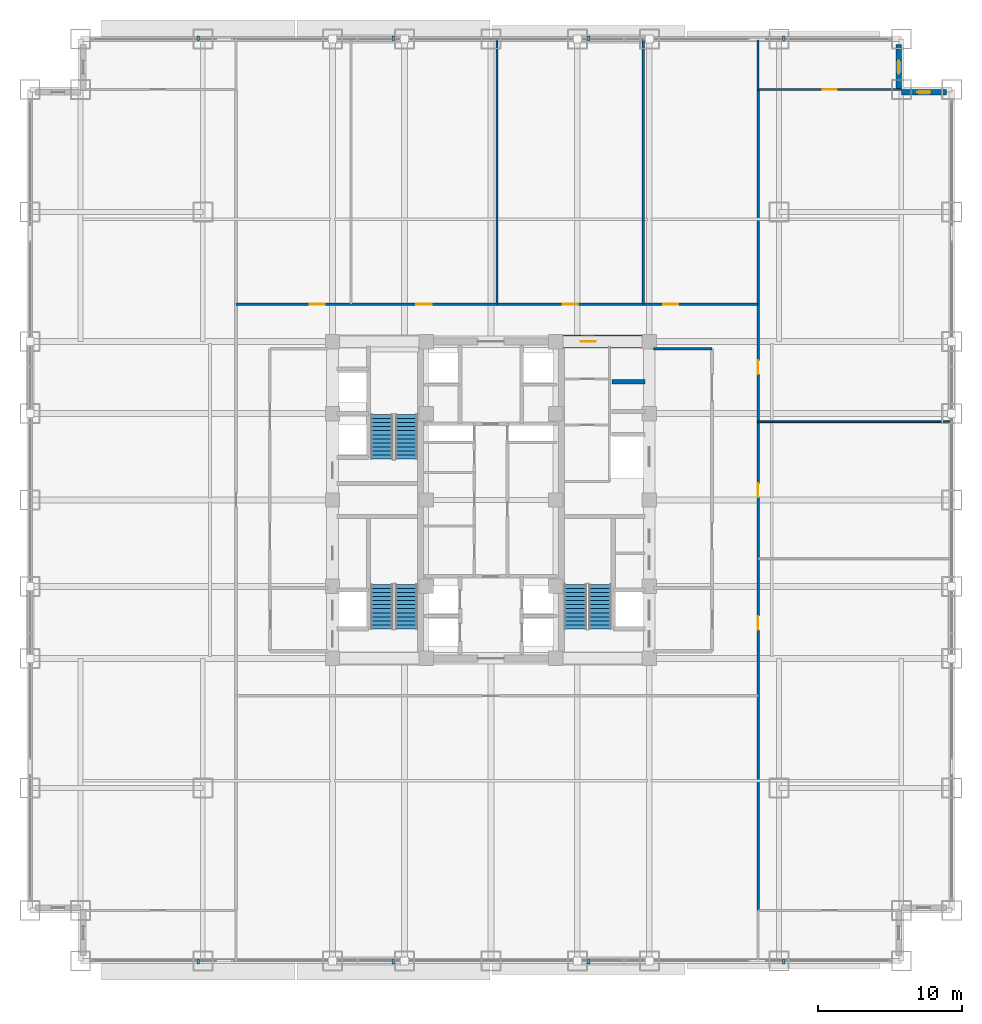
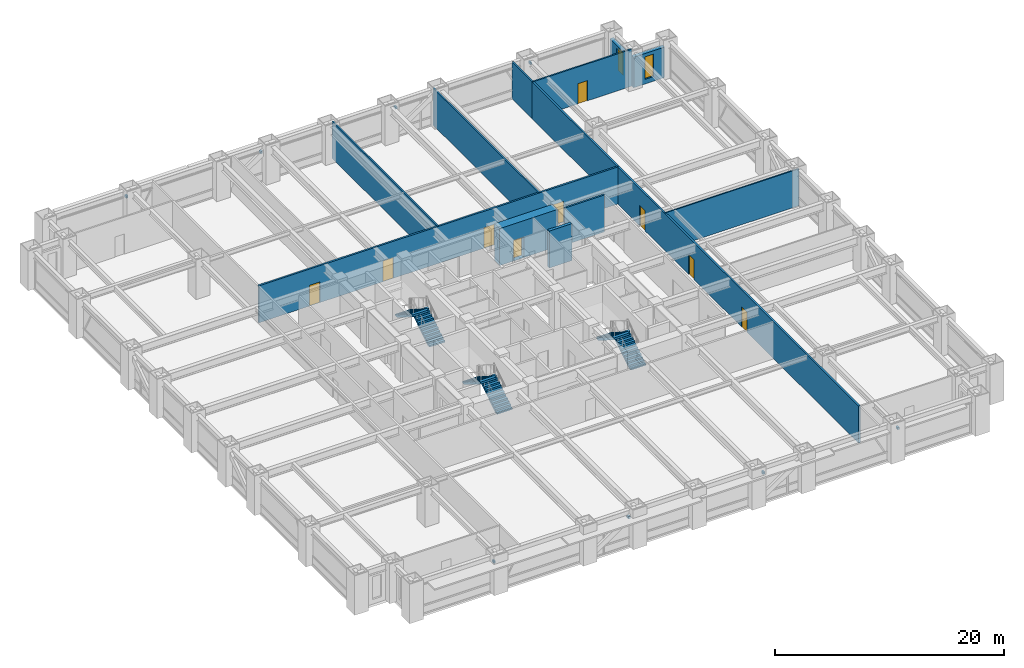
# One storey, part 26 of 31: 12 walls, 9 doors, 8 discrete accessories, 6 stair flights, 2 windows, 11 openings, 3 elements without a shape of their own.
"""IFC4 building model written with IfcOpenShell, lengths in metres."""

from ifc_helpers import new_model, si_unit, direction, frame, frame_2d, origin, origin_2d, place, context, subcontext, project, spatial, polyline, rectangle, outline, extrude, source, transform, mapped, material, layer, layer_set, type_object, element, fill, aggregate, save


model = new_model("IFC4")

# Units and contexts
model_context = context("Model", 3, precision=1e-05, world=origin(), true_north=direction((0.0, 1.0)))
body_context = subcontext(model_context, "Body", "Model", "MODEL_VIEW")
ifc_project = project(units=[si_unit("LENGTHUNIT", "METRE"), si_unit("AREAUNIT", "SQUARE_METRE"), si_unit("VOLUMEUNIT", "CUBIC_METRE"), si_unit("PLANEANGLEUNIT", "RADIAN"), si_unit("MASSUNIT", "GRAM", prefix="KILO")], contexts=[model_context])

# Site, building, storey
site_placement = place(None, origin())
site = spatial("IfcSite", under=ifc_project, at=site_placement, CompositionType="ELEMENT")
building_placement = place(site_placement, origin())
building = spatial("IfcBuilding", under=site, at=building_placement, Name="Khorayat Bourse Tower", CompositionType="ELEMENT")
storey_placement = place(building_placement, frame((0.0, 0.0, 36.800048828125)))
storey = spatial("IfcBuildingStorey", under=building, at=storey_placement, Name="L07", CompositionType="ELEMENT", Elevation=36.800048828125)

# Wall, opening, door
ifc_material_1 = material(Name="Concrete C72/90", Category="concrete")
ifc_layer_1 = layer(ifc_material_1, 0.89990234375)
ifc_layer_set_1 = layer_set([ifc_layer_1], Name="Concrete C72/90")
wall_type_1 = type_object("IfcWallType", Name="WAL-CORE-900", PredefinedType="SHEAR", material=ifc_layer_set_1)
shared_shape_1 = source(origin(), body_context, "Body", "SweptSolid", [
    extrude(rectangle(XDim=5.849853515625, YDim=0.89990234375, at=frame_2d((2.9248046875, 0.0))), origin(), (0.0, 0.0, 1.0), 3.93994140625),
])
wall_1_placement = place(storey_placement, frame((4.85009765625, 11.0, 0.0), z_axis=(0.0, 0.0, 1.0), x_axis=(1.0, 0.0, 0.0)))
wall_1 = element("IfcWall", 1, at=wall_1_placement, inside=storey, type_object=wall_type_1, Name="L07 Core Shear Wall PIER-EN", PredefinedType="SHEAR", context=body_context, shape_type="MappedRepresentation", body=[
    mapped(shared_shape_1, transform((0.0, 0.0, 0.0), scale=1.0)),
])
shared_shape_2 = source(origin(), body_context, "Body", "SweptSolid", [
    extrude(rectangle(XDim=1.050048828125, YDim=2.199951171875, at=frame_2d((0.52490234375, 1.10009765625))), frame((0.0, 0.4599609375, 0.0), z_axis=(0.0, -1.0, 0.0), x_axis=(1.0, 0.0, 0.0)), (0.0, 0.0, 1.0), 0.919921875),
])
opening_1_placement = place(wall_1_placement, frame((1.375, 0.0, 0.0)))
opening_1 = element("IfcOpeningElement", 2, at=opening_1_placement, cuts=wall_1, Name="Opening DI-04", PredefinedType="OPENING", context=body_context, shape_type="MappedRepresentation", body=[
    mapped(shared_shape_2, transform((0.0, 0.0, 0.0), scale=1.0)),
])
ifc_material_2 = material(Name="Fire-rated oak veneer suite entrance door")
door_type_1 = type_object("IfcDoorType", Name="DR-INT-SUITE-1050", OperationType="NOTDEFINED", PredefinedType="DOOR", material=ifc_material_2)
shared_shape_3 = source(origin(), body_context, "Body", "SweptSolid", [
    extrude(rectangle(XDim=1.050048828125, YDim=2.199951171875, at=frame_2d((0.52490234375, 1.10009765625))), frame((0.0, 0.02490234375, 0.0), z_axis=(0.0, -1.0, 0.0), x_axis=(1.0, 0.0, 0.0)), (0.0, 0.0, 1.0), 0.050048828125),
])
door_1_placement = place(opening_1_placement, origin())
door_1 = element("IfcDoor", 3, at=door_1_placement, inside=storey, type_object=door_type_1, Name="L07 Core Washroom Lobby Door", OperationType="SINGLE_SWING_LEFT", OverallHeight=2.199951171875, OverallWidth=1.050048828125, PredefinedType="DOOR", context=body_context, shape_type="MappedRepresentation", body=[
    mapped(shared_shape_3, transform((0.0, 0.0, 0.0), scale=1.0)),
])
fill(opening_1, door_1)

# Wall, opening, window
ifc_material_3 = material(Name="Precast concrete C45/55", Category="concrete")
ifc_layer_2 = layer(ifc_material_3, 0.3798828125)
ifc_layer_set_2 = layer_set([ifc_layer_2], Name="Precast concrete C45/55")
wall_type_2 = type_object("IfcWallType", Name="WAL-EXT-STONE-380", PredefinedType="STANDARD", material=ifc_layer_set_2)
shared_shape_4 = source(origin(), body_context, "Body", "SweptSolid", [
    extrude(rectangle(XDim=3.1201171875, YDim=0.3798828125, at=frame_2d((1.56005859375, 0.0))), origin(), (0.0, 0.0, 1.0), 3.244873046875),
])
wall_2_placement = place(storey_placement, frame((28.5, 28.31005859375, 0.0), z_axis=(0.0, 0.0, 1.0), x_axis=(1.0, 0.0, 0.0)))
wall_2 = element("IfcWall", 4, at=wall_2_placement, inside=storey, type_object=wall_type_2, Name="L07 Re-Entrant Notch Limestone Wall NE-H", PredefinedType="STANDARD", context=body_context, shape_type="MappedRepresentation", body=[
    mapped(shared_shape_4, transform((0.0, 0.0, 0.0), scale=1.0)),
])
shared_shape_5 = source(origin(), body_context, "Body", "SweptSolid", [
    extrude(rectangle(XDim=0.89990234375, YDim=2.39990234375, at=frame_2d((0.449951171875, 1.199951171875))), frame((0.0, 0.199951171875, 0.0), z_axis=(0.0, -1.0, 0.0), x_axis=(1.0, 0.0, 0.0)), (0.0, 0.0, 1.0), 0.39990234375),
])
opening_2_placement = place(wall_2_placement, frame((1.110107421875, 0.0, 0.5)))
opening_2 = element("IfcOpeningElement", 5, at=opening_2_placement, cuts=wall_2, Name="Opening WN-03", PredefinedType="OPENING", context=body_context, shape_type="MappedRepresentation", body=[
    mapped(shared_shape_5, transform((0.0, 0.0, 0.0), scale=1.0)),
])
ifc_material_4 = material(Name="Deep-reveal solar-control double glazing", Category="glass")
window_type = type_object("IfcWindowType", Name="WIN-SLOT-900x2400", PartitioningType="SINGLE_PANEL", PredefinedType="WINDOW", material=ifc_material_4)
shared_shape_6 = source(origin(), body_context, "Body", "SweptSolid", [
    extrude(rectangle(XDim=0.89990234375, YDim=2.39990234375, at=frame_2d((0.449951171875, 1.199951171875))), frame((0.0, 0.030029296875, 0.0), z_axis=(0.0, -1.0, 0.0), x_axis=(1.0, 0.0, 0.0)), (0.0, 0.0, 1.0), 0.06005859375),
])
window_1_placement = place(opening_2_placement, origin())
window_1 = element("IfcWindow", 6, at=window_1_placement, inside=storey, type_object=window_type, Name="L07 Facade Window 1", OverallHeight=2.39990234375, OverallWidth=0.89990234375, PartitioningType="SINGLE_PANEL", PredefinedType="WINDOW", context=body_context, shape_type="MappedRepresentation", body=[
    mapped(shared_shape_6, transform((0.0, 0.0, 0.0), scale=1.0)),
])
fill(opening_2, window_1)

wall_3_placement = place(storey_placement, frame((28.31005859375, 28.5, 0.0), z_axis=(0.0, 0.0, 1.0), x_axis=(0.0, 1.0, 0.0)))
wall_3 = element("IfcWall", 7, at=wall_3_placement, inside=storey, type_object=wall_type_2, Name="L07 Re-Entrant Notch Limestone Wall NE-V", PredefinedType="STANDARD", context=body_context, shape_type="MappedRepresentation", body=[
    mapped(shared_shape_4, transform((0.0, 0.0, 0.0), scale=1.0)),
])
opening_3_placement = place(wall_3_placement, frame((1.110107421875, 0.0, 0.5)))
opening_3 = element("IfcOpeningElement", 8, at=opening_3_placement, cuts=wall_3, Name="Opening WN-03", PredefinedType="OPENING", context=body_context, shape_type="MappedRepresentation", body=[
    mapped(shared_shape_5, transform((0.0, 0.0, 0.0), scale=1.0)),
])
window_2_placement = place(opening_3_placement, origin())
window_2 = element("IfcWindow", 9, at=window_2_placement, inside=storey, type_object=window_type, Name="L07 Facade Window 1", OverallHeight=2.39990234375, OverallWidth=0.89990234375, PartitioningType="SINGLE_PANEL", PredefinedType="WINDOW", context=body_context, shape_type="MappedRepresentation", body=[
    mapped(shared_shape_6, transform((0.0, 0.0, 0.0), scale=1.0)),
])
fill(opening_3, window_2)

# Walls
ifc_material_5 = material(Name="Concrete C50/60", Category="concrete")
ifc_layer_3 = layer(ifc_material_5, 0.300048828125)
ifc_layer_set_3 = layer_set([ifc_layer_3], Name="Concrete C50/60")
wall_type_3 = type_object("IfcWallType", Name="WAL-SHAFT-300", PredefinedType="SHEAR", material=ifc_layer_set_3)
shared_shape_7 = source(origin(), body_context, "Body", "SweptSolid", [
    extrude(rectangle(XDim=2.300048828125, YDim=0.300048828125, at=frame_2d((1.14990234375, 0.0))), origin(), (0.0, 0.0, 1.0), 3.93994140625),
])
wall_4_placement = place(storey_placement, frame((8.39990234375, 8.199951171875, 0.0), z_axis=(0.0, 0.0, 1.0), x_axis=(1.0, 0.0, 0.0)))
element("IfcWall", 10, at=wall_4_placement, inside=storey, type_object=wall_type_3, Name="L07 Partition WAL-L07-EPIER-H34", PredefinedType="SHEAR", context=body_context, shape_type="MappedRepresentation", body=[
    mapped(shared_shape_7, transform((0.0, 0.0, 0.0), scale=1.0)),
])
ifc_material_6 = material(Name="Gypsum plasterboard acoustic stud wall")
ifc_layer_4 = layer(ifc_material_6, 0.179931640625)
ifc_layer_set_4 = layer_set([ifc_layer_4], Name="Gypsum plasterboard acoustic stud wall")
wall_type_4 = type_object("IfcWallType", Name="WAL-PART-CORR-180", PredefinedType="PARTITIONING", material=ifc_layer_set_4)
shared_shape_8 = source(origin(), body_context, "Body", "SweptSolid", [
    extrude(rectangle(XDim=4.050048828125, YDim=0.179931640625, at=frame_2d((2.02490234375, 0.0))), origin(), (0.0, 0.0, 1.0), 3.93994140625),
])
wall_5_placement = place(storey_placement, frame((11.300048828125, 10.5, 0.0), z_axis=(0.0, 0.0, 1.0), x_axis=(1.0, 0.0, 0.0)))
element("IfcWall", 11, at=wall_5_placement, inside=storey, type_object=wall_type_4, Name="L07 Partition WAL-L07-ELOB-N", PredefinedType="PARTITIONING", context=body_context, shape_type="MappedRepresentation", body=[
    mapped(shared_shape_8, transform((0.0, 0.0, 0.0), scale=1.0)),
])

# Wall, openings, doors
shared_shape_9 = source(origin(), body_context, "Body", "SweptSolid", [
    extrude(rectangle(XDim=36.25, YDim=0.179931640625, at=frame_2d((18.125, 0.0))), origin(), (0.0, 0.0, 1.0), 3.93994140625),
])
wall_6_placement = place(storey_placement, frame((-17.699951171875, 13.60009765625, 0.0), z_axis=(0.0, 0.0, 1.0), x_axis=(1.0, 0.0, 0.0)))
wall_6 = element("IfcWall", 12, at=wall_6_placement, inside=storey, type_object=wall_type_4, Name="L07 Partition WAL-L07-NCORR", PredefinedType="PARTITIONING", context=body_context, shape_type="MappedRepresentation", body=[
    mapped(shared_shape_9, transform((0.0, 0.0, 0.0), scale=1.0)),
])
shared_shape_10 = source(origin(), body_context, "Body", "SweptSolid", [
    extrude(rectangle(XDim=1.050048828125, YDim=2.199951171875, at=frame_2d((0.52490234375, 1.10009765625))), frame((0.0, 0.099853515625, 0.0), z_axis=(0.0, -1.0, 0.0), x_axis=(1.0, 0.0, 0.0)), (0.0, 0.0, 1.0), 0.199951171875),
])
opening_4_placement = place(wall_6_placement, frame((5.112548828125, 0.0, 0.0)))
opening_4 = element("IfcOpeningElement", 13, at=opening_4_placement, cuts=wall_6, Name="Opening DI-04", PredefinedType="OPENING", context=body_context, shape_type="MappedRepresentation", body=[
    mapped(shared_shape_10, transform((0.0, 0.0, 0.0), scale=1.0)),
])
opening_5_placement = place(wall_6_placement, frame((12.52490234375, 0.0, 0.0)))
opening_5 = element("IfcOpeningElement", 14, at=opening_5_placement, cuts=wall_6, Name="Opening DI-04", PredefinedType="OPENING", context=body_context, shape_type="MappedRepresentation", body=[
    mapped(shared_shape_10, transform((0.0, 0.0, 0.0), scale=1.0)),
])
opening_6_placement = place(wall_6_placement, frame((22.675048828125, 0.0, 0.0)))
opening_6 = element("IfcOpeningElement", 15, at=opening_6_placement, cuts=wall_6, Name="Opening DI-04", PredefinedType="OPENING", context=body_context, shape_type="MappedRepresentation", body=[
    mapped(shared_shape_10, transform((0.0, 0.0, 0.0), scale=1.0)),
])
opening_7_placement = place(wall_6_placement, frame((29.66259765625, 0.0, 0.0)))
opening_7 = element("IfcOpeningElement", 16, at=opening_7_placement, cuts=wall_6, Name="Opening DI-04", PredefinedType="OPENING", context=body_context, shape_type="MappedRepresentation", body=[
    mapped(shared_shape_10, transform((0.0, 0.0, 0.0), scale=1.0)),
])
door_2_placement = place(opening_4_placement, origin())
door_2 = element("IfcDoor", 17, at=door_2_placement, inside=storey, type_object=door_type_1, Name="L07 Equities Trading Desk N1 Door", OperationType="SINGLE_SWING_RIGHT", OverallHeight=2.199951171875, OverallWidth=1.050048828125, PredefinedType="DOOR", context=body_context, shape_type="MappedRepresentation", body=[
    mapped(shared_shape_3, transform((0.0, 0.0, 0.0), scale=1.0)),
])
fill(opening_4, door_2)
door_3_placement = place(opening_5_placement, origin())
door_3 = element("IfcDoor", 18, at=door_3_placement, inside=storey, type_object=door_type_1, Name="L07 Equities Trading Desk N2 Door", OperationType="SINGLE_SWING_LEFT", OverallHeight=2.199951171875, OverallWidth=1.050048828125, PredefinedType="DOOR", context=body_context, shape_type="MappedRepresentation", body=[
    mapped(shared_shape_3, transform((0.0, 0.0, 0.0), scale=1.0)),
])
fill(opening_5, door_3)
door_4_placement = place(opening_6_placement, origin())
door_4 = element("IfcDoor", 19, at=door_4_placement, inside=storey, type_object=door_type_1, Name="L07 Equities Trading Desk N3 Door", OperationType="SINGLE_SWING_RIGHT", OverallHeight=2.199951171875, OverallWidth=1.050048828125, PredefinedType="DOOR", context=body_context, shape_type="MappedRepresentation", body=[
    mapped(shared_shape_3, transform((0.0, 0.0, 0.0), scale=1.0)),
])
fill(opening_6, door_4)
door_5_placement = place(opening_7_placement, origin())
door_5 = element("IfcDoor", 20, at=door_5_placement, inside=storey, type_object=door_type_1, Name="L07 Staff Tea Pantry N4 Door", OperationType="SINGLE_SWING_LEFT", OverallHeight=2.199951171875, OverallWidth=1.050048828125, PredefinedType="DOOR", context=body_context, shape_type="MappedRepresentation", body=[
    mapped(shared_shape_3, transform((0.0, 0.0, 0.0), scale=1.0)),
])
fill(opening_7, door_5)

# Walls
ifc_material_7 = material(Name="Gypsum plasterboard twin-frame partition")
ifc_layer_5 = layer(ifc_material_7, 0.14990234375)
ifc_layer_set_5 = layer_set([ifc_layer_5], Name="Gypsum plasterboard twin-frame partition")
wall_type_5 = type_object("IfcWallType", Name="WAL-PART-SUITE-150", PredefinedType="PARTITIONING", material=ifc_layer_set_5)
shared_shape_11 = source(origin(), body_context, "Body", "SweptSolid", [
    extrude(rectangle(XDim=18.39990234375, YDim=0.14990234375, at=frame_2d((9.199951171875, 0.0))), origin(), (0.0, 0.0, 1.0), 3.93994140625),
])
for number, where, z_axis, x_axis, name in (
    (21, (0.425048828125, 13.60009765625, 0.0), (0.0, 0.0, 1.0), (0.0, 1.0, 0.0), "L07 Partition WAL-L07-NDV-2"),
    (22, (10.574951171875, 13.60009765625, 0.0), (0.0, 0.0, 1.0), (0.0, 1.0, 0.0), "L07 Partition WAL-L07-NDV-3"),
):
    element("IfcWall", number, at=place(storey_placement, frame(where, z_axis=z_axis, x_axis=x_axis)), inside=storey, type_object=wall_type_5, Name=name, PredefinedType="PARTITIONING", context=body_context, shape_type="MappedRepresentation", body=[
        mapped(shared_shape_11, transform((0.0, 0.0, 0.0), scale=1.0)),
    ])
shared_shape_12 = source(origin(), body_context, "Body", "SweptSolid", [
    extrude(rectangle(XDim=3.5, YDim=0.14990234375, at=frame_2d((1.75, 0.0))), origin(), (0.0, 0.0, 1.0), 3.93994140625),
])
wall_7_placement = place(storey_placement, frame((18.550048828125, 28.5, 0.0), z_axis=(0.0, 0.0, 1.0), x_axis=(0.0, 1.0, 0.0)))
element("IfcWall", 23, at=wall_7_placement, inside=storey, type_object=wall_type_5, Name="L07 Partition WAL-L07-NCE-END", PredefinedType="PARTITIONING", context=body_context, shape_type="MappedRepresentation", body=[
    mapped(shared_shape_12, transform((0.0, 0.0, 0.0), scale=1.0)),
])

# Wall, openings, doors
shared_shape_13 = source(origin(), body_context, "Body", "SweptSolid", [
    extrude(rectangle(XDim=57.0, YDim=0.179931640625, at=frame_2d((28.5, 0.0))), origin(), (0.0, 0.0, 1.0), 3.93994140625),
])
wall_8_placement = place(storey_placement, frame((18.550048828125, -28.5, 0.0), z_axis=(0.0, 0.0, 1.0), x_axis=(0.0, 1.0, 0.0)))
wall_8 = element("IfcWall", 24, at=wall_8_placement, inside=storey, type_object=wall_type_4, Name="L07 Partition WAL-L07-ECORR", PredefinedType="PARTITIONING", context=body_context, shape_type="MappedRepresentation", body=[
    mapped(shared_shape_13, transform((0.0, 0.0, 0.0), scale=1.0)),
])
shared_shape_14 = source(origin(), body_context, "Body", "SweptSolid", [
    extrude(rectangle(XDim=0.949951171875, YDim=2.14990234375, at=frame_2d((0.47509765625, 1.074951171875))), frame((0.0, 0.099853515625, 0.0), z_axis=(0.0, -1.0, 0.0), x_axis=(1.0, 0.0, 0.0)), (0.0, 0.0, 1.0), 0.199951171875),
])
opening_8_placement = place(wall_8_placement, frame((19.485107421875, 0.0, 0.0)))
opening_8 = element("IfcOpeningElement", 25, at=opening_8_placement, cuts=wall_8, Name="Opening DI-05", PredefinedType="OPENING", context=body_context, shape_type="MappedRepresentation", body=[
    mapped(shared_shape_14, transform((0.0, 0.0, 0.0), scale=1.0)),
])
opening_9_placement = place(wall_8_placement, frame((28.705078125, 0.0, 0.0)))
opening_9 = element("IfcOpeningElement", 26, at=opening_9_placement, cuts=wall_8, Name="Opening DI-05", PredefinedType="OPENING", context=body_context, shape_type="MappedRepresentation", body=[
    mapped(shared_shape_14, transform((0.0, 0.0, 0.0), scale=1.0)),
])
opening_10_placement = place(wall_8_placement, frame((37.2451171875, 0.0, 0.0)))
opening_10 = element("IfcOpeningElement", 27, at=opening_10_placement, cuts=wall_8, Name="Opening DI-05", PredefinedType="OPENING", context=body_context, shape_type="MappedRepresentation", body=[
    mapped(shared_shape_14, transform((0.0, 0.0, 0.0), scale=1.0)),
])
ifc_material_8 = material(Name="Acoustic oak veneer office door")
door_type_2 = type_object("IfcDoorType", Name="DR-INT-OFFICE-950", OperationType="NOTDEFINED", PredefinedType="DOOR", material=ifc_material_8)
shared_shape_15 = source(origin(), body_context, "Body", "SweptSolid", [
    extrude(rectangle(XDim=0.949951171875, YDim=2.14990234375, at=frame_2d((0.47509765625, 1.074951171875))), frame((0.0, 0.02490234375, 0.0), z_axis=(0.0, -1.0, 0.0), x_axis=(1.0, 0.0, 0.0)), (0.0, 0.0, 1.0), 0.050048828125),
])
door_6_placement = place(opening_8_placement, origin())
door_6 = element("IfcDoor", 28, at=door_6_placement, inside=storey, type_object=door_type_2, Name="L07 Executive Boardroom E1 Door", OperationType="SINGLE_SWING_RIGHT", OverallHeight=2.14990234375, OverallWidth=0.949951171875, PredefinedType="DOOR", context=body_context, shape_type="MappedRepresentation", body=[
    mapped(shared_shape_15, transform((0.0, 0.0, 0.0), scale=1.0)),
])
fill(opening_8, door_6)
door_7_placement = place(opening_9_placement, origin())
door_7 = element("IfcDoor", 29, at=door_7_placement, inside=storey, type_object=door_type_2, Name="L07 Equities Trading Desk E2 Door", OperationType="SINGLE_SWING_LEFT", OverallHeight=2.14990234375, OverallWidth=0.949951171875, PredefinedType="DOOR", context=body_context, shape_type="MappedRepresentation", body=[
    mapped(shared_shape_15, transform((0.0, 0.0, 0.0), scale=1.0)),
])
fill(opening_9, door_7)
door_8_placement = place(opening_10_placement, origin())
door_8 = element("IfcDoor", 30, at=door_8_placement, inside=storey, type_object=door_type_2, Name="L07 Equities Trading Desk E3 Door", OperationType="SINGLE_SWING_RIGHT", OverallHeight=2.14990234375, OverallWidth=0.949951171875, PredefinedType="DOOR", context=body_context, shape_type="MappedRepresentation", body=[
    mapped(shared_shape_15, transform((0.0, 0.0, 0.0), scale=1.0)),
])
fill(opening_10, door_8)

# Wall
ifc_material_9 = material(Name="Gypsum plasterboard partition")
ifc_layer_6 = layer(ifc_material_9, 0.125)
ifc_layer_set_6 = layer_set([ifc_layer_6], Name="Gypsum plasterboard partition")
wall_type_6 = type_object("IfcWallType", Name="WAL-PART-ROOM-125", PredefinedType="PARTITIONING", material=ifc_layer_set_6)
shared_shape_16 = source(origin(), body_context, "Body", "SweptSolid", [
    extrude(rectangle(XDim=13.449951171875, YDim=0.125, at=frame_2d((6.72509765625, 0.0))), origin(), (0.0, 0.0, 1.0), 3.93994140625),
])
wall_9_placement = place(storey_placement, frame((18.550048828125, 5.43994140625, 0.0), z_axis=(0.0, 0.0, 1.0), x_axis=(1.0, 0.0, 0.0)))
element("IfcWall", 31, at=wall_9_placement, inside=storey, type_object=wall_type_6, Name="L07 Partition WAL-L07-EDV-2", PredefinedType="PARTITIONING", context=body_context, shape_type="MappedRepresentation", body=[
    mapped(shared_shape_16, transform((0.0, 0.0, 0.0), scale=1.0)),
])

# Wall, opening, door
shared_shape_17 = source(origin(), body_context, "Body", "SweptSolid", [
    extrude(rectangle(XDim=9.949951171875, YDim=0.14990234375, at=frame_2d((4.97509765625, 0.0))), origin(), (0.0, 0.0, 1.0), 3.93994140625),
])
wall_10_placement = place(storey_placement, frame((18.550048828125, 28.5, 0.0), z_axis=(0.0, 0.0, 1.0), x_axis=(1.0, 0.0, 0.0)))
wall_10 = element("IfcWall", 32, at=wall_10_placement, inside=storey, type_object=wall_type_5, Name="L07 Partition WAL-L07-CNE", PredefinedType="PARTITIONING", context=body_context, shape_type="MappedRepresentation", body=[
    mapped(shared_shape_17, transform((0.0, 0.0, 0.0), scale=1.0)),
])
shared_shape_18 = source(origin(), body_context, "Body", "SweptSolid", [
    extrude(rectangle(XDim=0.949951171875, YDim=2.14990234375, at=frame_2d((0.47509765625, 1.074951171875))), frame((0.0, 0.0849609375, 0.0), z_axis=(0.0, -1.0, 0.0), x_axis=(1.0, 0.0, 0.0)), (0.0, 0.0, 1.0), 0.169921875),
])
opening_11_placement = place(wall_10_placement, frame((4.5, 0.0, 0.0)))
opening_11 = element("IfcOpeningElement", 33, at=opening_11_placement, cuts=wall_10, Name="Opening DI-05", PredefinedType="OPENING", context=body_context, shape_type="MappedRepresentation", body=[
    mapped(shared_shape_18, transform((0.0, 0.0, 0.0), scale=1.0)),
])
door_9_placement = place(opening_11_placement, origin())
door_9 = element("IfcDoor", 34, at=door_9_placement, inside=storey, type_object=door_type_2, Name="L07 North-East Corner Lounge Door", OperationType="SINGLE_SWING_LEFT", OverallHeight=2.14990234375, OverallWidth=0.949951171875, PredefinedType="DOOR", context=body_context, shape_type="MappedRepresentation", body=[
    mapped(shared_shape_15, transform((0.0, 0.0, 0.0), scale=1.0)),
])
fill(opening_11, door_9)

# Stair, stair flights
ifc_material_10 = material(Name="Concrete C40/50", Category="concrete")
stair_type = type_object("IfcStairType", Name="STR-CORE-1550", PredefinedType="HALF_TURN_STAIR", material=ifc_material_10)
stair_1_placement = place(storey_placement, origin())
stair_1 = element("IfcStair", 35, at=stair_1_placement, inside=storey, type_object=stair_type, Name="L07 Exit Stair ST-1", PredefinedType="HALF_TURN_STAIR")
stair_flight_type = type_object("IfcStairFlightType", Name="FLT-CORE-1550", PredefinedType="STRAIGHT", material=ifc_material_10)
shared_shape_19 = source(origin(), body_context, "Body", "SweptSolid", [
    extrude(outline(polyline([(0.0, 0.0), (0.0, 0.175048828125), (0.280029296875, 0.175048828125), (0.280029296875, 0.35009765625), (0.56005859375, 0.35009765625), (0.56005859375, 0.52490234375), (0.840087890625, 0.52490234375), (0.840087890625, 0.699951171875), (1.1201171875, 0.699951171875), (1.1201171875, 0.875), (1.39990234375, 0.875), (1.39990234375, 1.050048828125), (1.679931640625, 1.050048828125), (1.679931640625, 1.22509765625), (1.9599609375, 1.22509765625), (1.9599609375, 1.39990234375), (2.239990234375, 1.39990234375), (2.239990234375, 1.574951171875), (2.52001953125, 1.574951171875), (2.52001953125, 1.75), (2.800048828125, 1.75), (2.800048828125, 1.925048828125), (3.080078125, 1.925048828125), (3.080078125, 2.10009765625), (3.080078125, 1.712890625), (0.339599609375, 0.0), (0.0, 0.0)])), frame((0.0, 0.77490234375, 0.0), z_axis=(0.0, -1.0, 0.0), x_axis=(1.0, 0.0, 0.0)), (0.0, 0.0, 1.0), 1.550048828125),
])
stair_flight_1_placement = place(storey_placement, frame((-5.875, -8.949951171875, 0.0), z_axis=(0.0, 0.0, 1.0), x_axis=(0.0, 1.0, 0.0)))
stair_flight_1 = element("IfcStairFlight", 36, at=stair_flight_1_placement, type_object=stair_flight_type, Name="ST-1 flight 1", NumberOfRisers=12, NumberOfTreads=11, PredefinedType="STRAIGHT", RiserHeight=0.175, TreadLength=0.28, context=body_context, shape_type="MappedRepresentation", body=[
    mapped(shared_shape_19, transform((0.0, 0.0, 0.0), scale=1.0)),
])
stair_flight_2_placement = place(storey_placement, frame((-7.574951171875, -5.8701171875, 2.099853515625), z_axis=(0.0, 0.0, 1.0), x_axis=(0.0, -1.0, 0.0)))
stair_flight_2 = element("IfcStairFlight", 37, at=stair_flight_2_placement, type_object=stair_flight_type, Name="ST-1 flight 2", NumberOfRisers=12, NumberOfTreads=11, PredefinedType="STRAIGHT", RiserHeight=0.175, TreadLength=0.28, context=body_context, shape_type="MappedRepresentation", body=[
    mapped(shared_shape_19, transform((0.0, 0.0, 0.0), scale=1.0)),
])
aggregate(stair_1, [stair_flight_1, stair_flight_2])

stair_2_placement = place(storey_placement, origin())
stair_2 = element("IfcStair", 38, at=stair_2_placement, inside=storey, type_object=stair_type, Name="L07 Exit Stair ST-2", PredefinedType="HALF_TURN_STAIR")
stair_flight_3_placement = place(storey_placement, frame((-5.875, 2.85009765625, 0.0), z_axis=(0.0, 0.0, 1.0), x_axis=(0.0, 1.0, 0.0)))
stair_flight_3 = element("IfcStairFlight", 39, at=stair_flight_3_placement, type_object=stair_flight_type, Name="ST-2 flight 1", NumberOfRisers=12, NumberOfTreads=11, PredefinedType="STRAIGHT", RiserHeight=0.175, TreadLength=0.28, context=body_context, shape_type="MappedRepresentation", body=[
    mapped(shared_shape_19, transform((0.0, 0.0, 0.0), scale=1.0)),
])
stair_flight_4_placement = place(storey_placement, frame((-7.574951171875, 5.929931640625, 2.099853515625), z_axis=(0.0, 0.0, 1.0), x_axis=(0.0, -1.0, 0.0)))
stair_flight_4 = element("IfcStairFlight", 40, at=stair_flight_4_placement, type_object=stair_flight_type, Name="ST-2 flight 2", NumberOfRisers=12, NumberOfTreads=11, PredefinedType="STRAIGHT", RiserHeight=0.175, TreadLength=0.28, context=body_context, shape_type="MappedRepresentation", body=[
    mapped(shared_shape_19, transform((0.0, 0.0, 0.0), scale=1.0)),
])
aggregate(stair_2, [stair_flight_3, stair_flight_4])

stair_3_placement = place(storey_placement, origin())
stair_3 = element("IfcStair", 41, at=stair_3_placement, inside=storey, type_object=stair_type, Name="L07 Exit Stair ST-3", PredefinedType="HALF_TURN_STAIR")
stair_flight_5_placement = place(storey_placement, frame((7.574951171875, -8.949951171875, 0.0), z_axis=(0.0, 0.0, 1.0), x_axis=(0.0, 1.0, 0.0)))
stair_flight_5 = element("IfcStairFlight", 42, at=stair_flight_5_placement, type_object=stair_flight_type, Name="ST-3 flight 1", NumberOfRisers=12, NumberOfTreads=11, PredefinedType="STRAIGHT", RiserHeight=0.175, TreadLength=0.28, context=body_context, shape_type="MappedRepresentation", body=[
    mapped(shared_shape_19, transform((0.0, 0.0, 0.0), scale=1.0)),
])
stair_flight_6_placement = place(storey_placement, frame((5.875, -5.8701171875, 2.099853515625), z_axis=(0.0, 0.0, 1.0), x_axis=(0.0, -1.0, 0.0)))
stair_flight_6 = element("IfcStairFlight", 43, at=stair_flight_6_placement, type_object=stair_flight_type, Name="ST-3 flight 2", NumberOfRisers=12, NumberOfTreads=11, PredefinedType="STRAIGHT", RiserHeight=0.175, TreadLength=0.28, context=body_context, shape_type="MappedRepresentation", body=[
    mapped(shared_shape_19, transform((0.0, 0.0, 0.0), scale=1.0)),
])
aggregate(stair_3, [stair_flight_5, stair_flight_6])

# Discrete accessories
ifc_material_11 = material(Name="Steel EN 10025-2 S355J2", Category="steel")
discrete_accessory_type = type_object("IfcDiscreteAccessoryType", Name="ACC-SHADE-BRACKET", PredefinedType="BRACKET", material=ifc_material_11)
shared_shape_20 = source(origin(), body_context, "Body", "SweptSolid", [
    extrude(rectangle(XDim=0.179931640625, YDim=0.300048828125, at=origin_2d()), origin(), (0.0, 0.0, 1.0), 0.239990234375),
])
for number, where, z_axis, x_axis, name in (
    (44, (-20.324951171875, -32.06005859375, 3.0400390625), (0.0, 0.0, 1.0), (1.0, 0.0, 0.0), "L07 Sunshade Support Bracket S-1"),
    (45, (-6.77490234375, -32.06005859375, 3.0400390625), (0.0, 0.0, 1.0), (1.0, 0.0, 0.0), "L07 Sunshade Support Bracket S-2"),
    (46, (6.77490234375, -32.06005859375, 3.0400390625), (0.0, 0.0, 1.0), (1.0, 0.0, 0.0), "L07 Sunshade Support Bracket S-3"),
    (47, (20.324951171875, -32.06005859375, 3.0400390625), (0.0, 0.0, 1.0), (1.0, 0.0, 0.0), "L07 Sunshade Support Bracket S-4"),
    (48, (-20.324951171875, 32.06005859375, 3.0400390625), (0.0, 0.0, 1.0), (1.0, 0.0, 0.0), "L07 Sunshade Support Bracket N-1"),
    (49, (-6.77490234375, 32.06005859375, 3.0400390625), (0.0, 0.0, 1.0), (1.0, 0.0, 0.0), "L07 Sunshade Support Bracket N-2"),
    (50, (6.77490234375, 32.06005859375, 3.0400390625), (0.0, 0.0, 1.0), (1.0, 0.0, 0.0), "L07 Sunshade Support Bracket N-3"),
    (51, (20.324951171875, 32.06005859375, 3.0400390625), (0.0, 0.0, 1.0), (1.0, 0.0, 0.0), "L07 Sunshade Support Bracket N-4"),
):
    element("IfcDiscreteAccessory", number, at=place(storey_placement, frame(where, z_axis=z_axis, x_axis=x_axis)), inside=storey, type_object=discrete_accessory_type, Name=name, PredefinedType="BRACKET", context=body_context, shape_type="MappedRepresentation", body=[
        mapped(shared_shape_20, transform((0.0, 0.0, 0.0), scale=1.0)),
    ])

save(model, "model.ifc")
